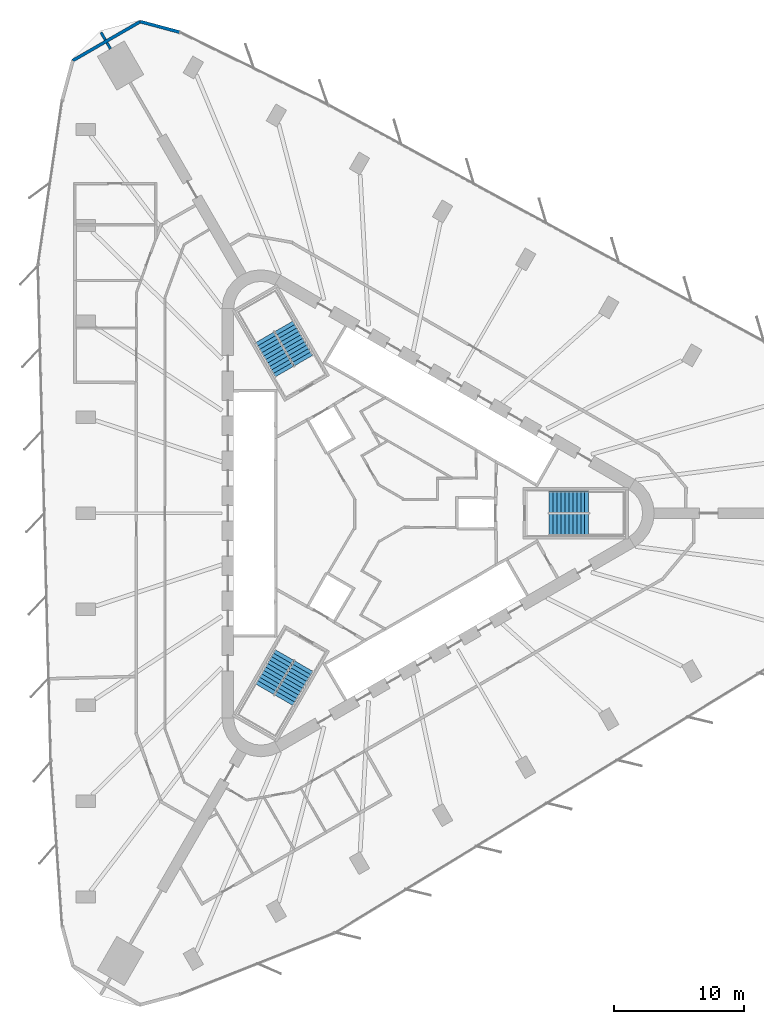
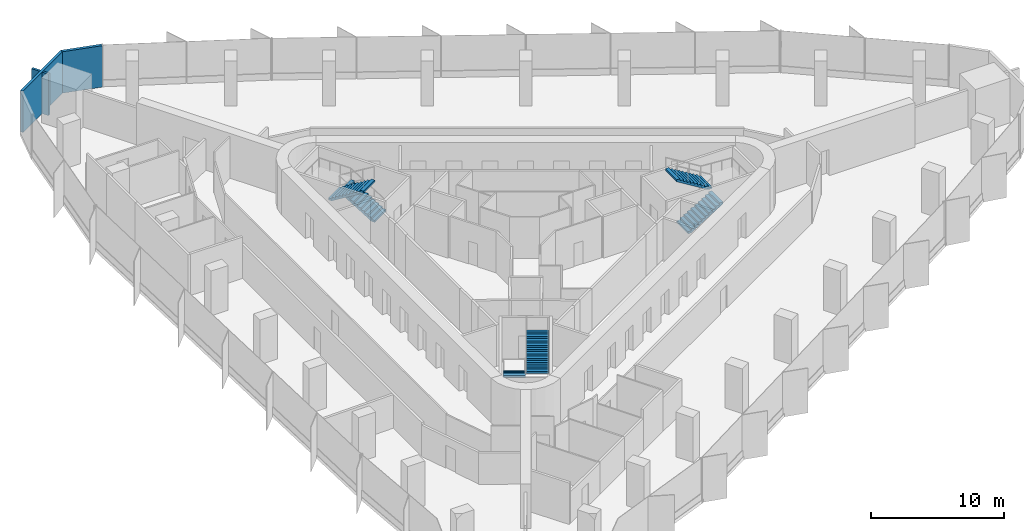
# One storey, part 13 of 14: 6 stair flights, 4 walls, 3 elements without a shape of their own.
"""IFC4 building model written with IfcOpenShell, lengths in metres."""

from ifc_helpers import new_model, si_unit, direction, frame, frame_2d, origin, place, context, subcontext, project, spatial, polyline, rectangle, outline, extrude, material, layer, layer_set, type_object, element, aggregate, save


model = new_model("IFC4")

# Units and contexts
model_context = context("Model", 3, precision=1e-05, world=origin(), true_north=direction((0.0, 1.0)))
body_context = subcontext(model_context, "Body", "Model", "MODEL_VIEW")
ifc_project = project(units=[si_unit("LENGTHUNIT", "METRE"), si_unit("AREAUNIT", "SQUARE_METRE"), si_unit("VOLUMEUNIT", "CUBIC_METRE"), si_unit("PLANEANGLEUNIT", "RADIAN"), si_unit("MASSUNIT", "GRAM", prefix="KILO")], contexts=[model_context])

# Site, building, storey
site_placement = place(None, origin())
site = spatial("IfcSite", under=ifc_project, at=site_placement, CompositionType="ELEMENT")
building_placement = place(site_placement, origin())
building = spatial("IfcBuilding", under=site, at=building_placement, Name="Tanit Gate Tower", CompositionType="ELEMENT")
storey_placement = place(building_placement, frame((0.0, 0.0, 148.0)))
storey = spatial("IfcBuildingStorey", under=building, at=storey_placement, Name="L32", CompositionType="ELEMENT", Elevation=148.0)

# Walls
ifc_material_1 = material(Name="Concrete C30/37 with bronze anodised aluminium cladding", Category="concrete")
ifc_layer_1 = layer(ifc_material_1, 0.239990234375)
ifc_layer_set_1 = layer_set([ifc_layer_1], Name="Facade wall bronze clad 240")
wall_type_1 = type_object("IfcWallType", Name="Facade wall bronze clad 240", PredefinedType="SOLIDWALL", material=ifc_layer_set_1)
wall_1_placement = place(storey_placement, frame((-15.37255859375, 37.065673828125, 0.0), z_axis=(0.0, 0.0, 1.0), x_axis=(-0.965928914048, 0.258807521156, 0.0)))
element("IfcWall", 1, at=wall_1_placement, inside=storey, type_object=wall_type_1, Name="Bronze-clad facade wall L32 NW.arc1", PredefinedType="SOLIDWALL", context=body_context, shape_type="SweptSolid", body=[
    extrude(rectangle(XDim=3.1318359375, YDim=0.239990234375, at=frame_2d((1.56591796875, 0.0))), origin(), (0.0, 0.0, 1.0), 3.800048828125),
])
wall_2_placement = place(storey_placement, frame((-18.397705078125, 37.876220703125, 0.0), z_axis=(0.0, 0.0, 1.0), x_axis=(-0.866037453254, -0.499979129126, 0.0)))
element("IfcWall", 2, at=wall_2_placement, inside=storey, type_object=wall_type_1, Name="Bronze-clad facade wall L32 NW.arc2", PredefinedType="SOLIDWALL", context=body_context, shape_type="SweptSolid", body=[
    extrude(rectangle(XDim=6.010498046875, YDim=0.239990234375, at=frame_2d((3.00537109375, 0.0))), origin(), (0.0, 0.0, 1.0), 3.800048828125),
])
ifc_material_2 = material(Name="Fire-rated gypsum board partition")
ifc_layer_2 = layer(ifc_material_2, 0.199951171875)
ifc_layer_set_2 = layer_set([ifc_layer_2], Name="INT-WALL-COMPARTMENT")
wall_type_2 = type_object("IfcWallType", Name="INT-WALL-COMPARTMENT", PredefinedType="PARTITIONING", material=ifc_layer_set_2)
wall_3_placement = place(storey_placement, frame((-21.4248046875, 37.049072265625, 0.0), z_axis=(0.0, 0.0, 1.0), x_axis=(0.499784885981, -0.866149564305, 0.0)))
element("IfcWall", 3, at=wall_3_placement, inside=storey, type_object=wall_type_2, Name="Wall Compartment W118", PredefinedType="PARTITIONING", context=body_context, shape_type="SweptSolid", body=[
    extrude(rectangle(XDim=0.677001953125, YDim=0.199951171875, at=frame_2d((0.33837890625, 0.0))), origin(), (0.0, 0.0, 1.0), 3.800048828125),
])
wall_4_placement = place(storey_placement, frame((-20.96630859375, 36.254638671875, 0.0), z_axis=(0.0, 0.0, 1.0), x_axis=(0.500004084281, -0.866023045711, 0.0)))
element("IfcWall", 4, at=wall_4_placement, inside=storey, type_object=wall_type_2, Name="Wall Compartment W118x1", PredefinedType="PARTITIONING", context=body_context, shape_type="SweptSolid", body=[
    extrude(rectangle(XDim=0.55029296875, YDim=0.199951171875, at=frame_2d((0.275146484375, 0.0))), origin(), (0.0, 0.0, 1.0), 3.800048828125),
])

# Stair, stair flights
ifc_material_3 = material(Name="Concrete C40/50", Category="concrete")
stair_type = type_object("IfcStairType", Name="INT-STAIR-EXIT", PredefinedType="HALF_TURN_STAIR", material=ifc_material_3)
stair_1_placement = place(storey_placement, origin())
stair_1 = element("IfcStair", 5, at=stair_1_placement, inside=storey, type_object=stair_type, Name="L32 STAIR S1", PredefinedType="HALF_TURN_STAIR")
ifc_material_4 = material(Name="Concrete C40/50", Category="concrete")
stair_flight_type = type_object("IfcStairFlightType", Name="INT-STAIR-FLIGHT", PredefinedType="STRAIGHT", material=ifc_material_4)
stair_flight_1_placement = place(storey_placement, frame((13.094970703125, -0.8525390625, 0.0), z_axis=(0.0, 0.0, 1.0), x_axis=(1.0, 0.0, 0.0)))
stair_flight_1 = element("IfcStairFlight", 6, at=stair_flight_1_placement, type_object=stair_flight_type, Name="S1 flight 1", NumberOfRisers=11, NumberOfTreads=10, PredefinedType="STRAIGHT", RiserHeight=0.186363636, TreadLength=0.3051, context=body_context, shape_type="SweptSolid", body=[
    extrude(outline(polyline([(0.0, 0.0), (0.0, 0.186279296875), (0.30517578125, 0.186279296875), (0.30517578125, 0.372802734375), (0.610107421875, 0.372802734375), (0.610107421875, 0.55908203125), (0.915283203125, 0.55908203125), (0.915283203125, 0.745361328125), (1.220458984375, 0.745361328125), (1.220458984375, 0.931884765625), (1.525390625, 0.931884765625), (1.525390625, 1.1181640625), (1.83056640625, 1.1181640625), (1.83056640625, 1.304443359375), (2.1357421875, 1.304443359375), (2.1357421875, 1.490966796875), (2.44091796875, 1.490966796875), (2.44091796875, 1.67724609375), (2.745849609375, 1.67724609375), (2.745849609375, 1.863525390625), (3.051025390625, 1.863525390625), (3.051025390625, 2.050048828125), (3.051025390625, 1.68798828125), (0.28759765625, 0.0), (0.0, 0.0)])), frame((0.0, 0.84765625, 0.0), z_axis=(0.0, -1.0, 0.0), x_axis=(1.0, 0.0, 0.0)), (0.0, 0.0, 1.0), 1.695068359375),
])
stair_flight_2_placement = place(storey_placement, frame((16.14599609375, 0.8525390625, 2.050048828125), z_axis=(0.0, 0.0, 1.0), x_axis=(-1.0, 0.0, 0.0)))
stair_flight_2 = element("IfcStairFlight", 7, at=stair_flight_2_placement, type_object=stair_flight_type, Name="S1 flight 2", NumberOfRisers=11, NumberOfTreads=10, PredefinedType="STRAIGHT", RiserHeight=0.186363636, TreadLength=0.3051, context=body_context, shape_type="SweptSolid", body=[
    extrude(outline(polyline([(0.0, 0.0), (0.0, 0.186279296875), (0.30517578125, 0.186279296875), (0.30517578125, 0.372802734375), (0.610107421875, 0.372802734375), (0.610107421875, 0.55908203125), (0.915283203125, 0.55908203125), (0.915283203125, 0.745361328125), (1.220458984375, 0.745361328125), (1.220458984375, 0.931884765625), (1.525390625, 0.931884765625), (1.525390625, 1.1181640625), (1.83056640625, 1.1181640625), (1.83056640625, 1.304443359375), (2.1357421875, 1.304443359375), (2.1357421875, 1.490966796875), (2.44091796875, 1.490966796875), (2.44091796875, 1.67724609375), (2.745849609375, 1.67724609375), (2.745849609375, 1.863525390625), (3.051025390625, 1.863525390625), (3.051025390625, 2.050048828125), (3.051025390625, 1.68798828125), (0.28759765625, 0.0), (0.0, 0.0)])), frame((0.0, 0.84765625, 0.0), z_axis=(0.0, -1.0, 0.0), x_axis=(1.0, 0.0, 0.0)), (0.0, 0.0, 1.0), 1.695068359375),
])
aggregate(stair_1, [stair_flight_1, stair_flight_2])

stair_2_placement = place(storey_placement, origin())
stair_2 = element("IfcStair", 8, at=stair_2_placement, inside=storey, type_object=stair_type, Name="L32 STAIR S2", PredefinedType="HALF_TURN_STAIR")
stair_flight_3_placement = place(storey_placement, frame((-5.808349609375, 11.766357421875, 0.0), z_axis=(0.0, 0.0, 1.0), x_axis=(-0.5, 0.866025403784, 0.0)))
stair_flight_3 = element("IfcStairFlight", 9, at=stair_flight_3_placement, type_object=stair_flight_type, Name="S2 flight 1", NumberOfRisers=11, NumberOfTreads=10, PredefinedType="STRAIGHT", RiserHeight=0.186363636, TreadLength=0.30492, context=body_context, shape_type="SweptSolid", body=[
    extrude(outline(polyline([(0.0, 0.0), (0.0, 0.186279296875), (0.304931640625, 0.186279296875), (0.304931640625, 0.372802734375), (0.60986328125, 0.372802734375), (0.60986328125, 0.55908203125), (0.914794921875, 0.55908203125), (0.914794921875, 0.745361328125), (1.2197265625, 0.745361328125), (1.2197265625, 0.931884765625), (1.524658203125, 0.931884765625), (1.524658203125, 1.1181640625), (1.82958984375, 1.1181640625), (1.82958984375, 1.304443359375), (2.134521484375, 1.304443359375), (2.134521484375, 1.490966796875), (2.439453125, 1.490966796875), (2.439453125, 1.67724609375), (2.744384765625, 1.67724609375), (2.744384765625, 1.863525390625), (3.04931640625, 1.863525390625), (3.04931640625, 2.050048828125), (3.04931640625, 1.68798828125), (0.287353515625, 0.0), (0.0, 0.0)])), frame((0.0, 0.84716796875, 0.0), z_axis=(0.0, -1.0, 0.0), x_axis=(1.0, 0.0, 0.0)), (0.0, 0.0, 1.0), 1.694091796875),
])
stair_flight_4_placement = place(storey_placement, frame((-8.810302734375, 13.553955078125, 2.050048828125), z_axis=(0.0, 0.0, 1.0), x_axis=(0.5, -0.866025403784, 0.0)))
stair_flight_4 = element("IfcStairFlight", 10, at=stair_flight_4_placement, type_object=stair_flight_type, Name="S2 flight 2", NumberOfRisers=11, NumberOfTreads=10, PredefinedType="STRAIGHT", RiserHeight=0.186363636, TreadLength=0.30492, context=body_context, shape_type="SweptSolid", body=[
    extrude(outline(polyline([(0.0, 0.0), (0.0, 0.186279296875), (0.304931640625, 0.186279296875), (0.304931640625, 0.372802734375), (0.60986328125, 0.372802734375), (0.60986328125, 0.55908203125), (0.914794921875, 0.55908203125), (0.914794921875, 0.745361328125), (1.2197265625, 0.745361328125), (1.2197265625, 0.931884765625), (1.524658203125, 0.931884765625), (1.524658203125, 1.1181640625), (1.82958984375, 1.1181640625), (1.82958984375, 1.304443359375), (2.134521484375, 1.304443359375), (2.134521484375, 1.490966796875), (2.439453125, 1.490966796875), (2.439453125, 1.67724609375), (2.744384765625, 1.67724609375), (2.744384765625, 1.863525390625), (3.04931640625, 1.863525390625), (3.04931640625, 2.050048828125), (3.04931640625, 1.68798828125), (0.287353515625, 0.0), (0.0, 0.0)])), frame((0.0, 0.84716796875, 0.0), z_axis=(0.0, -1.0, 0.0), x_axis=(1.0, 0.0, 0.0)), (0.0, 0.0, 1.0), 1.694091796875),
])
aggregate(stair_2, [stair_flight_3, stair_flight_4])

stair_3_placement = place(storey_placement, origin())
stair_3 = element("IfcStair", 11, at=stair_3_placement, inside=storey, type_object=stair_type, Name="L32 STAIR S3", PredefinedType="HALF_TURN_STAIR")
stair_flight_5_placement = place(storey_placement, frame((-7.285888671875, -10.914306640625, 0.0), z_axis=(0.0, 0.0, 1.0), x_axis=(-0.5, -0.866025403784, 0.0)))
stair_flight_5 = element("IfcStairFlight", 12, at=stair_flight_5_placement, type_object=stair_flight_type, Name="S3 flight 1", NumberOfRisers=11, NumberOfTreads=10, PredefinedType="STRAIGHT", RiserHeight=0.186363636, TreadLength=0.3051, context=body_context, shape_type="SweptSolid", body=[
    extrude(outline(polyline([(0.0, 0.0), (0.0, 0.186279296875), (0.30517578125, 0.186279296875), (0.30517578125, 0.372802734375), (0.610107421875, 0.372802734375), (0.610107421875, 0.55908203125), (0.915283203125, 0.55908203125), (0.915283203125, 0.745361328125), (1.220458984375, 0.745361328125), (1.220458984375, 0.931884765625), (1.525390625, 0.931884765625), (1.525390625, 1.1181640625), (1.83056640625, 1.1181640625), (1.83056640625, 1.304443359375), (2.1357421875, 1.304443359375), (2.1357421875, 1.490966796875), (2.44091796875, 1.490966796875), (2.44091796875, 1.67724609375), (2.745849609375, 1.67724609375), (2.745849609375, 1.863525390625), (3.051025390625, 1.863525390625), (3.051025390625, 2.050048828125), (3.051025390625, 1.68798828125), (0.28759765625, 0.0), (0.0, 0.0)])), frame((0.0, 0.84765625, 0.0), z_axis=(0.0, -1.0, 0.0), x_axis=(1.0, 0.0, 0.0)), (0.0, 0.0, 1.0), 1.695068359375),
])
stair_flight_6_placement = place(storey_placement, frame((-7.334716796875, -14.4091796875, 2.050048828125), z_axis=(0.0, 0.0, 1.0), x_axis=(0.5, 0.866025403784, 0.0)))
stair_flight_6 = element("IfcStairFlight", 13, at=stair_flight_6_placement, type_object=stair_flight_type, Name="S3 flight 2", NumberOfRisers=11, NumberOfTreads=10, PredefinedType="STRAIGHT", RiserHeight=0.186363636, TreadLength=0.3051, context=body_context, shape_type="SweptSolid", body=[
    extrude(outline(polyline([(0.0, 0.0), (0.0, 0.186279296875), (0.30517578125, 0.186279296875), (0.30517578125, 0.372802734375), (0.610107421875, 0.372802734375), (0.610107421875, 0.55908203125), (0.915283203125, 0.55908203125), (0.915283203125, 0.745361328125), (1.220458984375, 0.745361328125), (1.220458984375, 0.931884765625), (1.525390625, 0.931884765625), (1.525390625, 1.1181640625), (1.83056640625, 1.1181640625), (1.83056640625, 1.304443359375), (2.1357421875, 1.304443359375), (2.1357421875, 1.490966796875), (2.44091796875, 1.490966796875), (2.44091796875, 1.67724609375), (2.745849609375, 1.67724609375), (2.745849609375, 1.863525390625), (3.051025390625, 1.863525390625), (3.051025390625, 2.050048828125), (3.051025390625, 1.68798828125), (0.28759765625, 0.0), (0.0, 0.0)])), frame((0.0, 0.84765625, 0.0), z_axis=(0.0, -1.0, 0.0), x_axis=(1.0, 0.0, 0.0)), (0.0, 0.0, 1.0), 1.695068359375),
])
aggregate(stair_3, [stair_flight_5, stair_flight_6])

save(model, "model.ifc")
